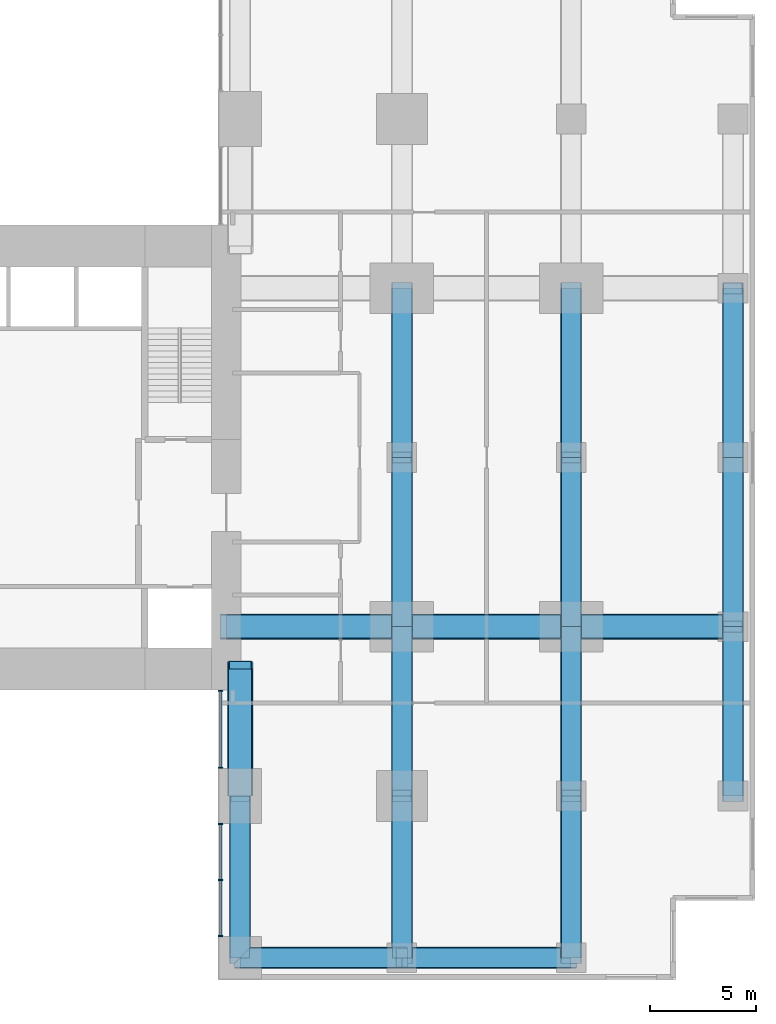
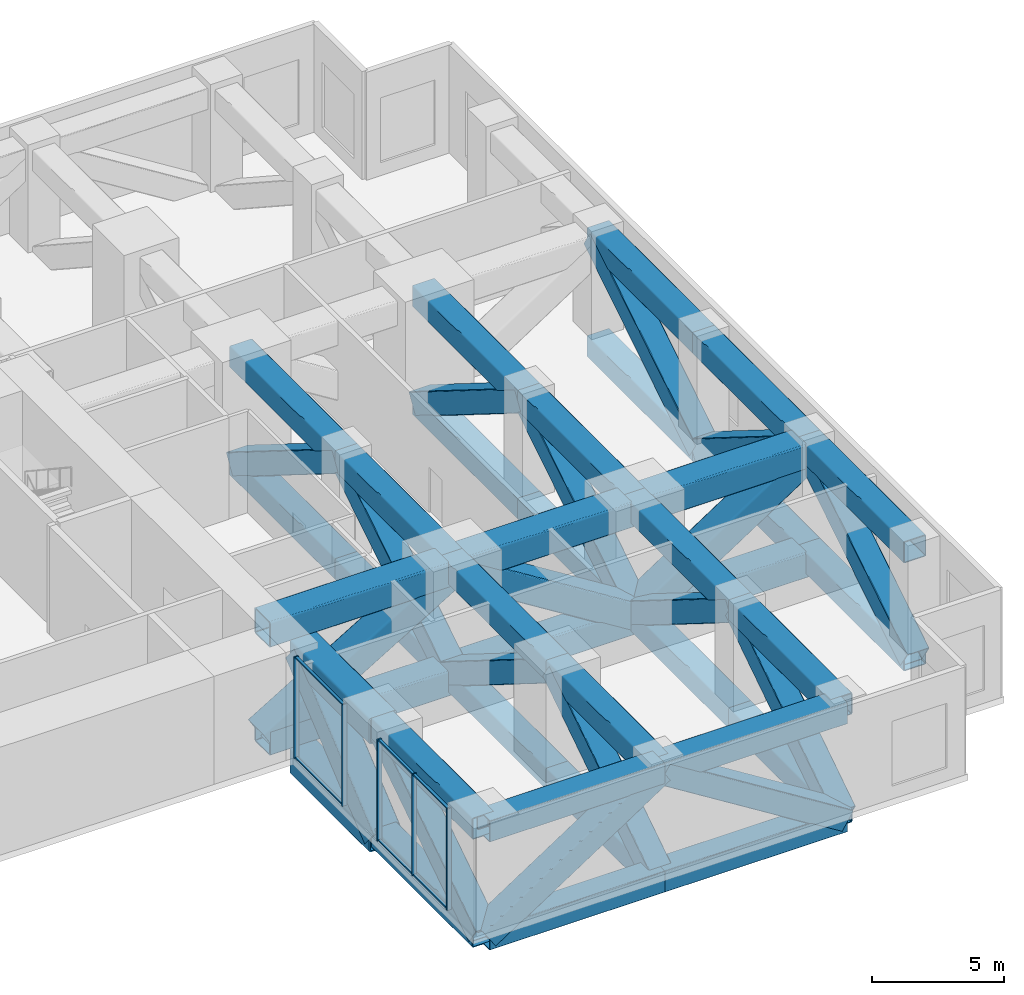
# One storey, part 2 of 7: 65 members, 2 elements without a shape of their own.
"""IFC4 building model written with IfcOpenShell, lengths in metres."""

from ifc_helpers import new_model, si_unit, direction, frame, origin, origin_2d, place, context, subcontext, project, spatial, rectangle, hollow_rectangle, extrude, material, layer, layer_set, material_profile, profile_set, type_object, element, aggregate, save


model = new_model("IFC4")

# Units and contexts
model_context = context("Model", 3, precision=1e-05, world=origin(), true_north=direction((0.0, 1.0)))
body_context = subcontext(model_context, "Body", "Model", "MODEL_VIEW")
ifc_project = project(units=[si_unit("LENGTHUNIT", "METRE"), si_unit("AREAUNIT", "SQUARE_METRE"), si_unit("VOLUMEUNIT", "CUBIC_METRE"), si_unit("PLANEANGLEUNIT", "RADIAN"), si_unit("MASSUNIT", "GRAM", prefix="KILO")], contexts=[model_context])

# Site, building, storey
site_placement = place(None, origin())
site = spatial("IfcSite", under=ifc_project, at=site_placement, CompositionType="ELEMENT")
building_placement = place(site_placement, origin())
building = spatial("IfcBuilding", under=site, at=building_placement, Name="Cleftline Residences", CompositionType="ELEMENT")
storey_placement = place(building_placement, frame((0.0, 0.0, 291.60009765625)))
storey = spatial("IfcBuildingStorey", under=building, at=storey_placement, Name="L76", CompositionType="ELEMENT", Elevation=291.60009765625)

# Members
ifc_material_1 = material(Name="Steel S355", Category="steel")
ifc_material_profile_1 = material_profile(ifc_material_1, hollow_rectangle(XDim=1.0, YDim=1.0, WallThickness=0.0400390625, InnerFilletRadius=0.0400390625, OuterFilletRadius=0.06005859375, at=origin_2d()))
ifc_profile_set_1 = profile_set([ifc_material_profile_1], Name="Steel S355")
member_type_1 = type_object("IfcMemberType", Name="BRACE BOX 1000X1000X40", PredefinedType="BRACE", material=ifc_profile_set_1)
for number, where, z_axis, x_axis, name in (
    (1, (42.35009765625, 0.35009765625, -0.800048828125), (0.0, 0.837062783189, 0.547106842399), (0.0, -0.547106842399, 0.837062783189), "Belt truss diagonal"),
    (2, (50.0, 0.35009765625, -0.800048828125), (0.0, 0.837062783189, 0.547106842399), (0.0, -0.547106842399, 0.837062783189), "Belt truss diagonal"),
):
    element("IfcMember", number, at=place(storey_placement, frame(where, z_axis=z_axis, x_axis=x_axis)), inside=storey, type_object=member_type_1, Name=name, PredefinedType="BRACE", context=body_context, shape_type="SweptSolid", body=[
        extrude(hollow_rectangle(XDim=1.0, YDim=1.0, WallThickness=0.0400390625, InnerFilletRadius=0.0400390625, OuterFilletRadius=0.06005859375, at=origin_2d()), origin(), (0.0, 0.0, 1.0), 9.138916015625),
    ])
for number, where, z_axis, x_axis, name in (
    (3, (50.0, 8.0, 4.199951171875), (0.0, 0.847998304005, -0.529998940003), (0.0, 0.529998940003, 0.847998304005), "Belt truss diagonal"),
    (4, (50.0, 16.0, -0.800048828125), (0.0, 0.847998304005, 0.529998940003), (0.0, -0.529998940003, 0.847998304005), "Belt truss diagonal"),
    (5, (50.0, 24.0, 4.199951171875), (0.0, 0.847998304005, -0.529998940003), (0.0, 0.529998940003, 0.847998304005), "Belt truss diagonal"),
):
    element("IfcMember", number, at=place(storey_placement, frame(where, z_axis=z_axis, x_axis=x_axis)), inside=storey, type_object=member_type_1, Name=name, PredefinedType="BRACE", context=body_context, shape_type="SweptSolid", body=[
        extrude(hollow_rectangle(XDim=1.0, YDim=1.0, WallThickness=0.0400390625, InnerFilletRadius=0.0400390625, OuterFilletRadius=0.06005859375, at=origin_2d()), origin(), (0.0, 0.0, 1.0), 9.43408203125),
    ])
member_1_placement = place(storey_placement, frame((58.0, 0.35009765625, -0.800048828125), z_axis=(0.0, 0.837062783189, 0.547106842399), x_axis=(0.0, -0.547106842399, 0.837062783189)))
element("IfcMember", 6, at=member_1_placement, inside=storey, type_object=member_type_1, Name="Belt truss diagonal", PredefinedType="BRACE", context=body_context, shape_type="SweptSolid", body=[
    extrude(hollow_rectangle(XDim=1.0, YDim=1.0, WallThickness=0.0400390625, InnerFilletRadius=0.0400390625, OuterFilletRadius=0.06005859375, at=origin_2d()), origin(), (0.0, 0.0, 1.0), 9.138916015625),
])
for number, where, z_axis, x_axis, name in (
    (7, (58.0, 8.0, 4.199951171875), (0.0, 0.847998304005, -0.529998940003), (0.0, 0.529998940003, 0.847998304005), "Belt truss diagonal"),
    (8, (58.0, 16.0, -0.800048828125), (0.0, 0.847998304005, 0.529998940003), (0.0, -0.529998940003, 0.847998304005), "Belt truss diagonal"),
    (9, (58.0, 24.0, 4.199951171875), (0.0, 0.847998304005, -0.529998940003), (0.0, 0.529998940003, 0.847998304005), "Belt truss diagonal"),
    (10, (65.64990234375, 8.0, -0.800048828125), (0.0, 0.847998304005, 0.529998940003), (0.0, -0.529998940003, 0.847998304005), "Belt truss diagonal"),
    (11, (65.64990234375, 16.0, 4.199951171875), (0.0, 0.847998304005, -0.529998940003), (0.0, 0.529998940003, 0.847998304005), "Belt truss diagonal"),
    (12, (65.64990234375, 24.0, -0.800048828125), (0.0, 0.847998304005, 0.529998940003), (0.0, -0.529998940003, 0.847998304005), "Belt truss diagonal"),
):
    element("IfcMember", number, at=place(storey_placement, frame(where, z_axis=z_axis, x_axis=x_axis)), inside=storey, type_object=member_type_1, Name=name, PredefinedType="BRACE", context=body_context, shape_type="SweptSolid", body=[
        extrude(hollow_rectangle(XDim=1.0, YDim=1.0, WallThickness=0.0400390625, InnerFilletRadius=0.0400390625, OuterFilletRadius=0.06005859375, at=origin_2d()), origin(), (0.0, 0.0, 1.0), 9.43408203125),
    ])
member_2_placement = place(storey_placement, frame((42.35009765625, 0.35009765625, -0.800048828125), z_axis=(0.837062783189, 0.0, 0.547106842399), x_axis=(-0.547106842399, 0.0, 0.837062783189)))
element("IfcMember", 13, at=member_2_placement, inside=storey, type_object=member_type_1, Name="Belt truss diagonal", PredefinedType="BRACE", context=body_context, shape_type="SweptSolid", body=[
    extrude(hollow_rectangle(XDim=1.0, YDim=1.0, WallThickness=0.0400390625, InnerFilletRadius=0.0400390625, OuterFilletRadius=0.06005859375, at=origin_2d()), origin(), (0.0, 0.0, 1.0), 9.138916015625),
])
member_3_placement = place(storey_placement, frame((50.0, 0.35009765625, 4.199951171875), z_axis=(0.847998304005, 0.0, -0.529998940003), x_axis=(0.529998940003, 0.0, 0.847998304005)))
element("IfcMember", 14, at=member_3_placement, inside=storey, type_object=member_type_1, Name="Belt truss diagonal", PredefinedType="BRACE", context=body_context, shape_type="SweptSolid", body=[
    extrude(hollow_rectangle(XDim=1.0, YDim=1.0, WallThickness=0.0400390625, InnerFilletRadius=0.0400390625, OuterFilletRadius=0.06005859375, at=origin_2d()), origin(), (0.0, 0.0, 1.0), 9.43408203125),
])
ifc_material_2 = material(Name="Steel S355", Category="steel")
ifc_material_profile_2 = material_profile(ifc_material_2, hollow_rectangle(XDim=1.199951171875, YDim=1.199951171875, WallThickness=0.06005859375, InnerFilletRadius=0.06005859375, OuterFilletRadius=0.090087890625, at=origin_2d()))
ifc_profile_set_2 = profile_set([ifc_material_profile_2], Name="Steel S355")
member_type_2 = type_object("IfcMemberType", Name="BRACE BOX 1200X1200X60", PredefinedType="BRACE", material=ifc_profile_set_2)
member_4_placement = place(storey_placement, frame((41.699951171875, 16.0, -0.900146484375), z_axis=(0.85658231387, 0.0, 0.51601040645), x_axis=(-0.51601040645, 0.0, 0.85658231387)))
element("IfcMember", 15, at=member_4_placement, inside=storey, type_object=member_type_2, Name="Outrigger truss diagonal", PredefinedType="BRACE", context=body_context, shape_type="SweptSolid", body=[
    extrude(hollow_rectangle(XDim=1.199951171875, YDim=1.199951171875, WallThickness=0.06005859375, InnerFilletRadius=0.06005859375, OuterFilletRadius=0.090087890625, at=origin_2d()), origin(), (0.0, 0.0, 1.0), 9.689697265625),
])
member_5_placement = place(storey_placement, frame((50.0, 16.0, 4.099853515625), z_axis=(0.847998304005, 0.0, -0.529998940003), x_axis=(0.529998940003, 0.0, 0.847998304005)))
element("IfcMember", 16, at=member_5_placement, inside=storey, type_object=member_type_2, Name="Outrigger truss diagonal", PredefinedType="BRACE", context=body_context, shape_type="SweptSolid", body=[
    extrude(hollow_rectangle(XDim=1.199951171875, YDim=1.199951171875, WallThickness=0.06005859375, InnerFilletRadius=0.06005859375, OuterFilletRadius=0.090087890625, at=origin_2d()), origin(), (0.0, 0.0, 1.0), 9.43408203125),
])
member_6_placement = place(storey_placement, frame((58.0, 16.0, -0.900146484375), z_axis=(0.837062783189, 0.0, 0.547106842399), x_axis=(-0.547106842399, 0.0, 0.837062783189)))
element("IfcMember", 17, at=member_6_placement, inside=storey, type_object=member_type_2, Name="Outrigger truss diagonal", PredefinedType="BRACE", context=body_context, shape_type="SweptSolid", body=[
    extrude(hollow_rectangle(XDim=1.199951171875, YDim=1.199951171875, WallThickness=0.06005859375, InnerFilletRadius=0.06005859375, OuterFilletRadius=0.090087890625, at=origin_2d()), origin(), (0.0, 0.0, 1.0), 9.138916015625),
])
member_7_placement = place(storey_placement, frame((42.35009765625, 8.0, -0.900146484375), z_axis=(0.0, 0.768221279597, 0.640184399664), x_axis=(0.0, -0.640184399664, 0.768221279597)))
element("IfcMember", 18, at=member_7_placement, inside=storey, type_object=member_type_2, Name="Outrigger truss diagonal", PredefinedType="BRACE", context=body_context, shape_type="SweptSolid", body=[
    extrude(hollow_rectangle(XDim=1.199951171875, YDim=1.199951171875, WallThickness=0.06005859375, InnerFilletRadius=0.06005859375, OuterFilletRadius=0.090087890625, at=origin_2d()), origin(), (0.0, 0.0, 1.0), 7.810302734375),
])
ifc_material_3 = material(Name="Steel S355", Category="steel")
ifc_material_profile_3 = material_profile(ifc_material_3, hollow_rectangle(XDim=1.0, YDim=1.0, WallThickness=0.0400390625, InnerFilletRadius=0.0400390625, OuterFilletRadius=0.06005859375, at=origin_2d()))
ifc_profile_set_3 = profile_set([ifc_material_profile_3], Name="Steel S355")
member_type_3 = type_object("IfcMemberType", Name="CHORD BOX 1000X1000X40", PredefinedType="CHORD", material=ifc_profile_set_3)
for number, where, z_axis, x_axis, name in (
    (19, (42.35009765625, 0.35009765625, -0.800048828125), (0.0, 1.0, 0.0), (-1.0, 0.0, 0.0), "Belt truss bottom chord"),
    (20, (42.35009765625, 0.35009765625, 4.199951171875), (0.0, 1.0, 0.0), (-1.0, 0.0, 0.0), "Belt truss top chord"),
    (21, (50.0, 0.35009765625, -0.800048828125), (0.0, 1.0, 0.0), (-1.0, 0.0, 0.0), "Belt truss bottom chord"),
    (22, (50.0, 0.35009765625, 4.199951171875), (0.0, 1.0, 0.0), (-1.0, 0.0, 0.0), "Belt truss top chord"),
):
    element("IfcMember", number, at=place(storey_placement, frame(where, z_axis=z_axis, x_axis=x_axis)), inside=storey, type_object=member_type_3, Name=name, PredefinedType="CHORD", context=body_context, shape_type="SweptSolid", body=[
        extrude(hollow_rectangle(XDim=1.0, YDim=1.0, WallThickness=0.0400390625, InnerFilletRadius=0.0400390625, OuterFilletRadius=0.06005859375, at=origin_2d()), origin(), (0.0, 0.0, 1.0), 7.64990234375),
    ])
for number, where, z_axis, x_axis, name in (
    (23, (50.0, 8.0, -0.800048828125), (0.0, 1.0, 0.0), (-1.0, 0.0, 0.0), "Belt truss bottom chord"),
    (24, (50.0, 8.0, 4.199951171875), (0.0, 1.0, 0.0), (-1.0, 0.0, 0.0), "Belt truss top chord"),
    (25, (50.0, 16.0, -0.800048828125), (0.0, 1.0, 0.0), (-1.0, 0.0, 0.0), "Belt truss bottom chord"),
    (26, (50.0, 16.0, 4.199951171875), (0.0, 1.0, 0.0), (-1.0, 0.0, 0.0), "Belt truss top chord"),
    (27, (50.0, 24.0, -0.800048828125), (0.0, 1.0, 0.0), (-1.0, 0.0, 0.0), "Belt truss bottom chord"),
    (28, (50.0, 24.0, 4.199951171875), (0.0, 1.0, 0.0), (-1.0, 0.0, 0.0), "Belt truss top chord"),
):
    element("IfcMember", number, at=place(storey_placement, frame(where, z_axis=z_axis, x_axis=x_axis)), inside=storey, type_object=member_type_3, Name=name, PredefinedType="CHORD", context=body_context, shape_type="SweptSolid", body=[
        extrude(hollow_rectangle(XDim=1.0, YDim=1.0, WallThickness=0.0400390625, InnerFilletRadius=0.0400390625, OuterFilletRadius=0.06005859375, at=origin_2d()), origin(), (0.0, 0.0, 1.0), 8.0),
    ])
for number, where, z_axis, x_axis, name in (
    (29, (58.0, 0.35009765625, -0.800048828125), (0.0, 1.0, 0.0), (-1.0, 0.0, 0.0), "Belt truss bottom chord"),
    (30, (58.0, 0.35009765625, 4.199951171875), (0.0, 1.0, 0.0), (-1.0, 0.0, 0.0), "Belt truss top chord"),
):
    element("IfcMember", number, at=place(storey_placement, frame(where, z_axis=z_axis, x_axis=x_axis)), inside=storey, type_object=member_type_3, Name=name, PredefinedType="CHORD", context=body_context, shape_type="SweptSolid", body=[
        extrude(hollow_rectangle(XDim=1.0, YDim=1.0, WallThickness=0.0400390625, InnerFilletRadius=0.0400390625, OuterFilletRadius=0.06005859375, at=origin_2d()), origin(), (0.0, 0.0, 1.0), 7.64990234375),
    ])
for number, where, z_axis, x_axis, name in (
    (31, (58.0, 8.0, -0.800048828125), (0.0, 1.0, 0.0), (-1.0, 0.0, 0.0), "Belt truss bottom chord"),
    (32, (58.0, 8.0, 4.199951171875), (0.0, 1.0, 0.0), (-1.0, 0.0, 0.0), "Belt truss top chord"),
    (33, (58.0, 16.0, -0.800048828125), (0.0, 1.0, 0.0), (-1.0, 0.0, 0.0), "Belt truss bottom chord"),
    (34, (58.0, 16.0, 4.199951171875), (0.0, 1.0, 0.0), (-1.0, 0.0, 0.0), "Belt truss top chord"),
    (35, (58.0, 24.0, -0.800048828125), (0.0, 1.0, 0.0), (-1.0, 0.0, 0.0), "Belt truss bottom chord"),
    (36, (58.0, 24.0, 4.199951171875), (0.0, 1.0, 0.0), (-1.0, 0.0, 0.0), "Belt truss top chord"),
    (37, (65.64990234375, 8.0, -0.800048828125), (0.0, 1.0, 0.0), (-1.0, 0.0, 0.0), "Belt truss bottom chord"),
    (38, (65.64990234375, 8.0, 4.199951171875), (0.0, 1.0, 0.0), (-1.0, 0.0, 0.0), "Belt truss top chord"),
    (39, (65.64990234375, 16.0, -0.800048828125), (0.0, 1.0, 0.0), (-1.0, 0.0, 0.0), "Belt truss bottom chord"),
    (40, (65.64990234375, 16.0, 4.199951171875), (0.0, 1.0, 0.0), (-1.0, 0.0, 0.0), "Belt truss top chord"),
    (41, (65.64990234375, 24.0, -0.800048828125), (0.0, 1.0, 0.0), (-1.0, 0.0, 0.0), "Belt truss bottom chord"),
    (42, (65.64990234375, 24.0, 4.199951171875), (0.0, 1.0, 0.0), (-1.0, 0.0, 0.0), "Belt truss top chord"),
):
    element("IfcMember", number, at=place(storey_placement, frame(where, z_axis=z_axis, x_axis=x_axis)), inside=storey, type_object=member_type_3, Name=name, PredefinedType="CHORD", context=body_context, shape_type="SweptSolid", body=[
        extrude(hollow_rectangle(XDim=1.0, YDim=1.0, WallThickness=0.0400390625, InnerFilletRadius=0.0400390625, OuterFilletRadius=0.06005859375, at=origin_2d()), origin(), (0.0, 0.0, 1.0), 8.0),
    ])
for number, where, z_axis, x_axis, name in (
    (43, (42.35009765625, 0.35009765625, -0.800048828125), (1.0, 0.0, 0.0), (0.0, 1.0, 0.0), "Belt truss bottom chord"),
    (44, (42.35009765625, 0.35009765625, 4.199951171875), (1.0, 0.0, 0.0), (0.0, 1.0, 0.0), "Belt truss top chord"),
):
    element("IfcMember", number, at=place(storey_placement, frame(where, z_axis=z_axis, x_axis=x_axis)), inside=storey, type_object=member_type_3, Name=name, PredefinedType="CHORD", context=body_context, shape_type="SweptSolid", body=[
        extrude(hollow_rectangle(XDim=1.0, YDim=1.0, WallThickness=0.0400390625, InnerFilletRadius=0.0400390625, OuterFilletRadius=0.06005859375, at=origin_2d()), origin(), (0.0, 0.0, 1.0), 7.64990234375),
    ])
for number, where, z_axis, x_axis, name in (
    (45, (50.0, 0.35009765625, -0.800048828125), (1.0, 0.0, 0.0), (0.0, 1.0, 0.0), "Belt truss bottom chord"),
    (46, (50.0, 0.35009765625, 4.199951171875), (1.0, 0.0, 0.0), (0.0, 1.0, 0.0), "Belt truss top chord"),
):
    element("IfcMember", number, at=place(storey_placement, frame(where, z_axis=z_axis, x_axis=x_axis)), inside=storey, type_object=member_type_3, Name=name, PredefinedType="CHORD", context=body_context, shape_type="SweptSolid", body=[
        extrude(hollow_rectangle(XDim=1.0, YDim=1.0, WallThickness=0.0400390625, InnerFilletRadius=0.0400390625, OuterFilletRadius=0.06005859375, at=origin_2d()), origin(), (0.0, 0.0, 1.0), 8.0),
    ])
ifc_material_4 = material(Name="Steel S355", Category="steel")
ifc_material_profile_4 = material_profile(ifc_material_4, hollow_rectangle(XDim=1.199951171875, YDim=1.199951171875, WallThickness=0.06005859375, InnerFilletRadius=0.06005859375, OuterFilletRadius=0.090087890625, at=origin_2d()))
ifc_profile_set_4 = profile_set([ifc_material_profile_4], Name="Steel S355")
member_type_4 = type_object("IfcMemberType", Name="CHORD BOX 1200X1200X60", PredefinedType="CHORD", material=ifc_profile_set_4)
for number, where, z_axis, x_axis, name in (
    (47, (41.699951171875, 16.0, -0.900146484375), (1.0, 0.0, 0.0), (0.0, 1.0, 0.0), "Outrigger truss bottom chord"),
    (48, (41.699951171875, 16.0, 4.099853515625), (1.0, 0.0, 0.0), (0.0, 1.0, 0.0), "Outrigger truss top chord"),
):
    element("IfcMember", number, at=place(storey_placement, frame(where, z_axis=z_axis, x_axis=x_axis)), inside=storey, type_object=member_type_4, Name=name, PredefinedType="CHORD", context=body_context, shape_type="SweptSolid", body=[
        extrude(hollow_rectangle(XDim=1.199951171875, YDim=1.199951171875, WallThickness=0.06005859375, InnerFilletRadius=0.06005859375, OuterFilletRadius=0.090087890625, at=origin_2d()), origin(), (0.0, 0.0, 1.0), 8.300048828125),
    ])
for number, where, z_axis, x_axis, name in (
    (49, (50.0, 16.0, -0.900146484375), (1.0, 0.0, 0.0), (0.0, 1.0, 0.0), "Outrigger truss bottom chord"),
    (50, (50.0, 16.0, 4.099853515625), (1.0, 0.0, 0.0), (0.0, 1.0, 0.0), "Outrigger truss top chord"),
):
    element("IfcMember", number, at=place(storey_placement, frame(where, z_axis=z_axis, x_axis=x_axis)), inside=storey, type_object=member_type_4, Name=name, PredefinedType="CHORD", context=body_context, shape_type="SweptSolid", body=[
        extrude(hollow_rectangle(XDim=1.199951171875, YDim=1.199951171875, WallThickness=0.06005859375, InnerFilletRadius=0.06005859375, OuterFilletRadius=0.090087890625, at=origin_2d()), origin(), (0.0, 0.0, 1.0), 8.0),
    ])
for number, where, z_axis, x_axis, name in (
    (51, (58.0, 16.0, -0.900146484375), (1.0, 0.0, 0.0), (0.0, 1.0, 0.0), "Outrigger truss bottom chord"),
    (52, (58.0, 16.0, 4.099853515625), (1.0, 0.0, 0.0), (0.0, 1.0, 0.0), "Outrigger truss top chord"),
):
    element("IfcMember", number, at=place(storey_placement, frame(where, z_axis=z_axis, x_axis=x_axis)), inside=storey, type_object=member_type_4, Name=name, PredefinedType="CHORD", context=body_context, shape_type="SweptSolid", body=[
        extrude(hollow_rectangle(XDim=1.199951171875, YDim=1.199951171875, WallThickness=0.06005859375, InnerFilletRadius=0.06005859375, OuterFilletRadius=0.090087890625, at=origin_2d()), origin(), (0.0, 0.0, 1.0), 7.64990234375),
    ])
for number, where, z_axis, x_axis, name in (
    (53, (42.35009765625, 8.0, -0.900146484375), (0.0, 1.0, 0.0), (-1.0, 0.0, 0.0), "Outrigger truss bottom chord"),
    (54, (42.35009765625, 8.0, 4.099853515625), (0.0, 1.0, 0.0), (-1.0, 0.0, 0.0), "Outrigger truss top chord"),
):
    element("IfcMember", number, at=place(storey_placement, frame(where, z_axis=z_axis, x_axis=x_axis)), inside=storey, type_object=member_type_4, Name=name, PredefinedType="CHORD", context=body_context, shape_type="SweptSolid", body=[
        extrude(hollow_rectangle(XDim=1.199951171875, YDim=1.199951171875, WallThickness=0.06005859375, InnerFilletRadius=0.06005859375, OuterFilletRadius=0.090087890625, at=origin_2d()), origin(), (0.0, 0.0, 1.0), 6.0),
    ])

# Curtain wall, members
ifc_material_5 = material(Name="Aluminium framed curtain wall", Category="aluminium")
ifc_layer = layer(ifc_material_5, 0.199951171875)
ifc_layer_set = layer_set([ifc_layer], Name="CW1 CLEFT GLAZING")
curtain_wall_type = type_object("IfcCurtainWallType", Name="CW1 CLEFT GLAZING", PredefinedType="NOTDEFINED", material=ifc_layer_set)
curtain_wall_1_placement = place(storey_placement, origin())
curtain_wall_1 = element("IfcCurtainWall", 55, at=curtain_wall_1_placement, inside=storey, type_object=curtain_wall_type, Name="Curtain wall CW1", PredefinedType="NOTDEFINED")
ifc_material_6 = material(Name="Aluminium mullion", Category="aluminium")
ifc_material_profile_5 = material_profile(ifc_material_6, rectangle(XDim=0.199951171875, YDim=0.06005859375, at=origin_2d()))
ifc_profile_set_5 = profile_set([ifc_material_profile_5], Name="Aluminium mullion")
member_type_5 = type_object("IfcMemberType", Name="CW1 MULLION", PredefinedType="MULLION", material=ifc_profile_set_5)
member_8_placement = place(storey_placement, frame((41.425048828125, 12.969970703125, 0.0), z_axis=(0.0, 0.0, 1.0), x_axis=(1.0, 0.0, 0.0)))
member_8 = element("IfcMember", 56, at=member_8_placement, type_object=member_type_5, Name="CW1 mullion 1", PredefinedType="MULLION", context=body_context, shape_type="SweptSolid", body=[
    extrude(rectangle(XDim=0.199951171875, YDim=0.06005859375, at=origin_2d()), origin(), (0.0, 0.0, 1.0), 4.699951171875),
])
member_9_placement = place(storey_placement, frame((41.425048828125, 9.330078125, 0.0), z_axis=(0.0, 0.0, 1.0), x_axis=(1.0, 0.0, 0.0)))
member_9 = element("IfcMember", 57, at=member_9_placement, type_object=member_type_5, Name="CW1 mullion 2", PredefinedType="MULLION", context=body_context, shape_type="SweptSolid", body=[
    extrude(rectangle(XDim=0.199951171875, YDim=0.06005859375, at=origin_2d()), origin(), (0.0, 0.0, 1.0), 4.699951171875),
])

curtain_wall_2_placement = place(storey_placement, origin())
curtain_wall_2 = element("IfcCurtainWall", 58, at=curtain_wall_2_placement, inside=storey, type_object=curtain_wall_type, Name="Curtain wall CW1", PredefinedType="NOTDEFINED")
member_10_placement = place(storey_placement, frame((41.425048828125, 6.669921875, 0.0), z_axis=(0.0, 0.0, 1.0), x_axis=(1.0, 0.0, 0.0)))
member_10 = element("IfcMember", 59, at=member_10_placement, type_object=member_type_5, Name="CW1 mullion 1", PredefinedType="MULLION", context=body_context, shape_type="SweptSolid", body=[
    extrude(rectangle(XDim=0.199951171875, YDim=0.06005859375, at=origin_2d()), origin(), (0.0, 0.0, 1.0), 4.699951171875),
])
member_11_placement = place(storey_placement, frame((41.425048828125, 4.02490234375, 0.0), z_axis=(0.0, 0.0, 1.0), x_axis=(1.0, 0.0, 0.0)))
member_11 = element("IfcMember", 60, at=member_11_placement, type_object=member_type_5, Name="CW1 mullion 2", PredefinedType="MULLION", context=body_context, shape_type="SweptSolid", body=[
    extrude(rectangle(XDim=0.199951171875, YDim=0.06005859375, at=origin_2d()), origin(), (0.0, 0.0, 1.0), 4.699951171875),
])
member_12_placement = place(storey_placement, frame((41.425048828125, 1.3798828125, 0.0), z_axis=(0.0, 0.0, 1.0), x_axis=(1.0, 0.0, 0.0)))
member_12 = element("IfcMember", 61, at=member_12_placement, type_object=member_type_5, Name="CW1 mullion 3", PredefinedType="MULLION", context=body_context, shape_type="SweptSolid", body=[
    extrude(rectangle(XDim=0.199951171875, YDim=0.06005859375, at=origin_2d()), origin(), (0.0, 0.0, 1.0), 4.699951171875),
])

# Member
ifc_material_7 = material(Name="Aluminium transom", Category="aluminium")
ifc_material_profile_6 = material_profile(ifc_material_7, rectangle(XDim=0.1201171875, YDim=0.06005859375, at=origin_2d()))
ifc_profile_set_6 = profile_set([ifc_material_profile_6], Name="Aluminium transom")
member_type_6 = type_object("IfcMemberType", Name="CW1 TRANSOM", PredefinedType="USERDEFINED", material=ifc_profile_set_6)
member_13_placement = place(storey_placement, frame((41.425048828125, 12.93994140625, 0.02978515625), z_axis=(0.0, -1.0, 0.0), x_axis=(1.0, 0.0, 0.0)))
member_13 = element("IfcMember", 62, at=member_13_placement, type_object=member_type_6, Name="CW1 transom 1.1", ObjectType="TRANSOM", PredefinedType="USERDEFINED", context=body_context, shape_type="SweptSolid", body=[
    extrude(rectangle(XDim=0.1201171875, YDim=0.06005859375, at=origin_2d()), origin(), (0.0, 0.0, 1.0), 3.579833984375),
])

member_14_placement = place(storey_placement, frame((41.425048828125, 12.93994140625, 4.669921875), z_axis=(0.0, -1.0, 0.0), x_axis=(1.0, 0.0, 0.0)))
member_14 = element("IfcMember", 63, at=member_14_placement, type_object=member_type_6, Name="CW1 transom 1.2", ObjectType="TRANSOM", PredefinedType="USERDEFINED", context=body_context, shape_type="SweptSolid", body=[
    extrude(rectangle(XDim=0.1201171875, YDim=0.06005859375, at=origin_2d()), origin(), (0.0, 0.0, 1.0), 3.579833984375),
])

aggregate(curtain_wall_1, [member_8, member_9, member_13, member_14])

member_15_placement = place(storey_placement, frame((41.425048828125, 6.639892578125, 0.02978515625), z_axis=(0.0, -1.0, 0.0), x_axis=(1.0, 0.0, 0.0)))
member_15 = element("IfcMember", 64, at=member_15_placement, type_object=member_type_6, Name="CW1 transom 1.1", ObjectType="TRANSOM", PredefinedType="USERDEFINED", context=body_context, shape_type="SweptSolid", body=[
    extrude(rectangle(XDim=0.1201171875, YDim=0.06005859375, at=origin_2d()), origin(), (0.0, 0.0, 1.0), 2.5849609375),
])

member_16_placement = place(storey_placement, frame((41.425048828125, 6.639892578125, 4.669921875), z_axis=(0.0, -1.0, 0.0), x_axis=(1.0, 0.0, 0.0)))
member_16 = element("IfcMember", 65, at=member_16_placement, type_object=member_type_6, Name="CW1 transom 1.2", ObjectType="TRANSOM", PredefinedType="USERDEFINED", context=body_context, shape_type="SweptSolid", body=[
    extrude(rectangle(XDim=0.1201171875, YDim=0.06005859375, at=origin_2d()), origin(), (0.0, 0.0, 1.0), 2.5849609375),
])

member_17_placement = place(storey_placement, frame((41.425048828125, 3.9951171875, 0.02978515625), z_axis=(0.0, -1.0, 0.0), x_axis=(1.0, 0.0, 0.0)))
member_17 = element("IfcMember", 66, at=member_17_placement, type_object=member_type_6, Name="CW1 transom 2.1", ObjectType="TRANSOM", PredefinedType="USERDEFINED", context=body_context, shape_type="SweptSolid", body=[
    extrude(rectangle(XDim=0.1201171875, YDim=0.06005859375, at=origin_2d()), origin(), (0.0, 0.0, 1.0), 2.585205078125),
])

member_18_placement = place(storey_placement, frame((41.425048828125, 3.9951171875, 4.669921875), z_axis=(0.0, -1.0, 0.0), x_axis=(1.0, 0.0, 0.0)))
member_18 = element("IfcMember", 67, at=member_18_placement, type_object=member_type_6, Name="CW1 transom 2.2", ObjectType="TRANSOM", PredefinedType="USERDEFINED", context=body_context, shape_type="SweptSolid", body=[
    extrude(rectangle(XDim=0.1201171875, YDim=0.06005859375, at=origin_2d()), origin(), (0.0, 0.0, 1.0), 2.585205078125),
])

aggregate(curtain_wall_2, [member_10, member_11, member_12, member_15, member_16, member_17, member_18])

save(model, "model.ifc")
